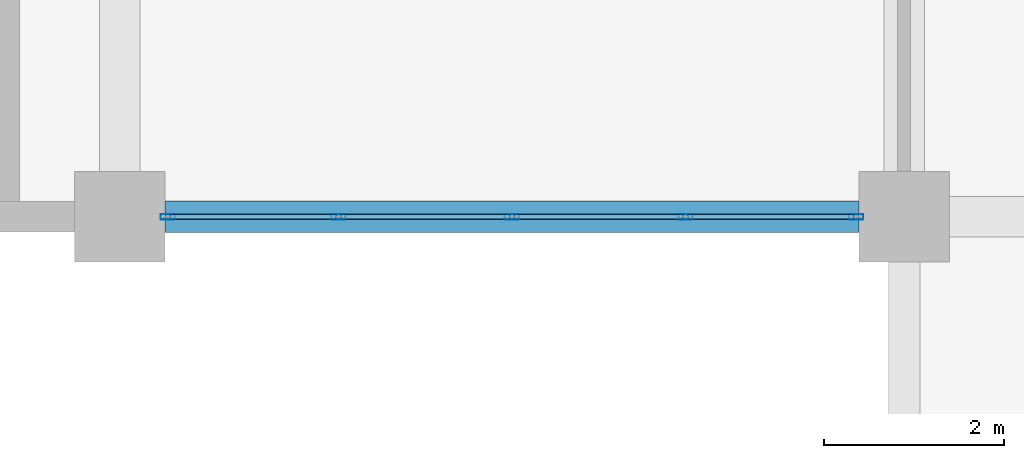
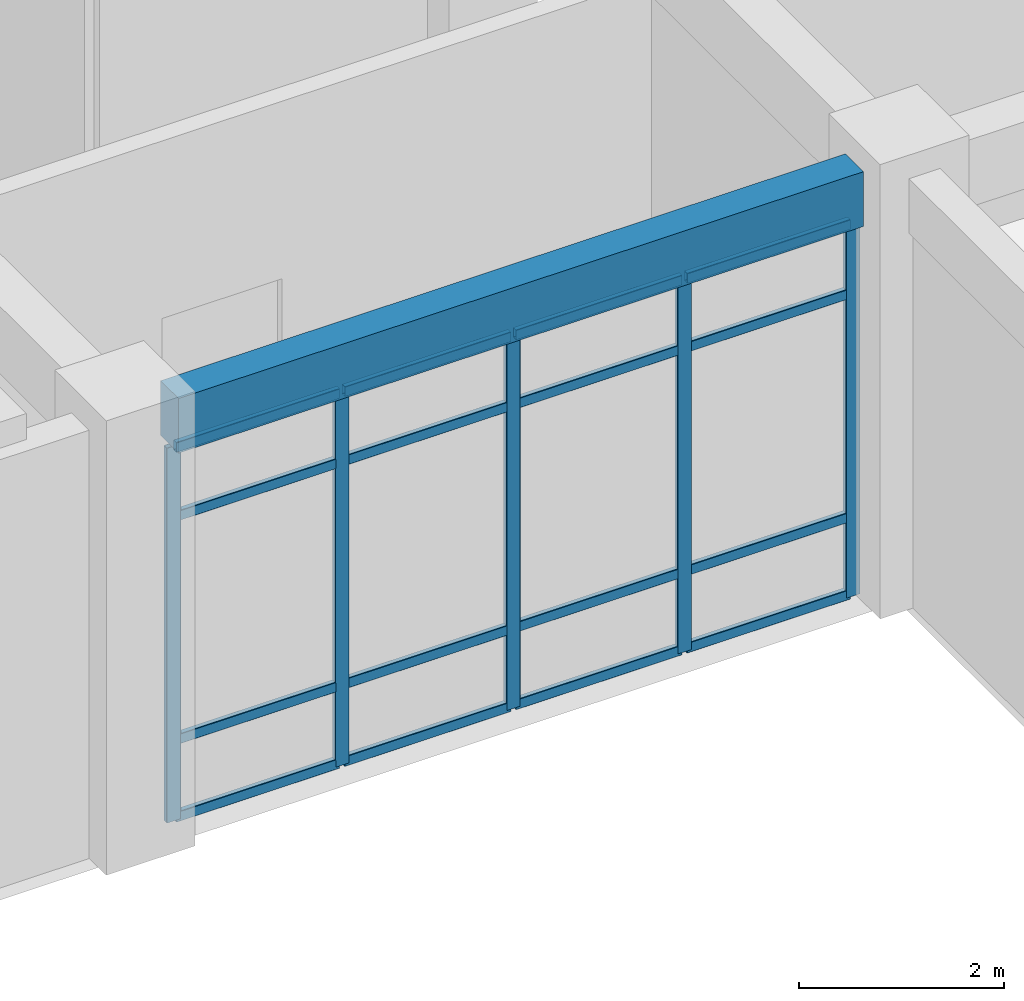
# One storey, part 36 of 114: 21 members, 1 beam, 1 element without a shape of its own.
"""IFC4 building model written with IfcOpenShell, lengths in metres."""

from ifc_helpers import new_model, si_unit, derived_unit, direction, frame, origin, origin_2d, place, context, subcontext, project, spatial, rectangle, hollow_rectangle, extrude, material, layer, layer_set, material_profile, profile_set, type_object, element, aggregate, save


model = new_model("IFC4")

# Units and contexts
model_context = context("Model", 3, precision=1e-05, world=origin(), true_north=direction((0.0, 1.0)))
body_context = subcontext(model_context, "Body", "Model", "MODEL_VIEW")
ifc_project = project(units=[si_unit("LENGTHUNIT", "METRE"), si_unit("AREAUNIT", "SQUARE_METRE"), si_unit("VOLUMEUNIT", "CUBIC_METRE"), si_unit("PLANEANGLEUNIT", "RADIAN"), si_unit("MASSUNIT", "GRAM", prefix="KILO"), derived_unit("THERMALTRANSMITTANCEUNIT", [(si_unit("MASSUNIT", "GRAM", prefix="KILO"), 1), (si_unit("TIMEUNIT", "SECOND"), -3), (si_unit("THERMODYNAMICTEMPERATUREUNIT", "KELVIN"), -1)])], contexts=[model_context])

# Site, building, storey
site_placement = place(None, origin())
site = spatial("IfcSite", under=ifc_project, at=site_placement, CompositionType="ELEMENT")
building_placement = place(site_placement, origin())
building = spatial("IfcBuilding", under=site, at=building_placement, Name="Qinzheling Arcade Emporium", CompositionType="ELEMENT")
storey_placement = place(building_placement, frame((0.0, 0.0, 6.0)))
storey = spatial("IfcBuildingStorey", under=building, at=storey_placement, Name="L02", CompositionType="ELEMENT", Elevation=6.0)

# Curtain wall, members
ifc_material_1 = material(Name="Anodised aluminium and solar-control double glazing", Category="aluminium")
ifc_layer = layer(ifc_material_1, 0.159912109375, Name="Anodised aluminium and solar-control double glazing", Category="aluminium")
ifc_layer_set = layer_set([ifc_layer], Name="Anodised aluminium and solar-control double glazing")
curtain_wall_type = type_object("IfcCurtainWallType", Name="Atrium Clerestory Curtain Wall", PredefinedType="NOTDEFINED", material=ifc_layer_set)
curtain_wall_placement = place(storey_placement, origin())
curtain_wall = element("IfcCurtainWall", 1, at=curtain_wall_placement, inside=storey, type_object=curtain_wall_type, Name="Curtain Wall CW-L02-062", PredefinedType="NOTDEFINED")
ifc_material_2 = material(Name="Anodised aluminium 6063-T6", Category="aluminium")
ifc_material_profile_1 = material_profile(ifc_material_2, hollow_rectangle(XDim=0.06005859375, YDim=0.159912109375, WallThickness=0.00390625, InnerFilletRadius=0.00390625, OuterFilletRadius=0.008056640625, at=origin_2d()), Name="RHS 160x60x4", Category="aluminium")
ifc_profile_set_1 = profile_set([ifc_material_profile_1], Name="Anodised aluminium 6063-T6")
member_type_1 = type_object("IfcMemberType", Name="Curtain Wall Mullion RHS160x60", PredefinedType="MULLION", material=ifc_profile_set_1)
member_1_placement = place(storey_placement, frame((103.867919921875, 42.0, 0.0), z_axis=(0.0, 0.0, 1.0), x_axis=(0.0, -1.0, 0.0)))
member_1 = element("IfcMember", 2, at=member_1_placement, type_object=member_type_1, Name="CW03 mullion 1", PredefinedType="MULLION", context=body_context, shape_type="SweptSolid", body=[
    extrude(hollow_rectangle(XDim=0.06005859375, YDim=0.159912109375, WallThickness=0.00390625, InnerFilletRadius=0.00390625, OuterFilletRadius=0.008056640625, at=origin_2d()), origin(), (0.0, 0.0, 1.0), 4.455078125),
])
member_2_placement = place(storey_placement, frame((101.97412109375, 42.0, 0.0), z_axis=(0.0, 0.0, 1.0), x_axis=(0.0, -1.0, 0.0)))
member_2 = element("IfcMember", 3, at=member_2_placement, type_object=member_type_1, Name="CW03 mullion 2", PredefinedType="MULLION", context=body_context, shape_type="SweptSolid", body=[
    extrude(hollow_rectangle(XDim=0.06005859375, YDim=0.159912109375, WallThickness=0.00390625, InnerFilletRadius=0.00390625, OuterFilletRadius=0.008056640625, at=origin_2d()), origin(), (0.0, 0.0, 1.0), 4.455078125),
])
member_3_placement = place(storey_placement, frame((100.050048828125, 42.0, 0.0), z_axis=(0.0, 0.0, 1.0), x_axis=(0.0, -1.0, 0.0)))
member_3 = element("IfcMember", 4, at=member_3_placement, type_object=member_type_1, Name="CW03 mullion 3", PredefinedType="MULLION", context=body_context, shape_type="SweptSolid", body=[
    extrude(hollow_rectangle(XDim=0.06005859375, YDim=0.159912109375, WallThickness=0.00390625, InnerFilletRadius=0.00390625, OuterFilletRadius=0.008056640625, at=origin_2d()), origin(), (0.0, 0.0, 1.0), 4.455078125),
])
member_4_placement = place(storey_placement, frame((98.1259765625, 42.0, 0.0), z_axis=(0.0, 0.0, 1.0), x_axis=(0.0, -1.0, 0.0)))
member_4 = element("IfcMember", 5, at=member_4_placement, type_object=member_type_1, Name="CW03 mullion 4", PredefinedType="MULLION", context=body_context, shape_type="SweptSolid", body=[
    extrude(hollow_rectangle(XDim=0.06005859375, YDim=0.159912109375, WallThickness=0.00390625, InnerFilletRadius=0.00390625, OuterFilletRadius=0.008056640625, at=origin_2d()), origin(), (0.0, 0.0, 1.0), 4.455078125),
])
member_5_placement = place(storey_placement, frame((96.23193359375, 42.0, 0.0), z_axis=(0.0, 0.0, 1.0), x_axis=(0.0, -1.0, 0.0)))
member_5 = element("IfcMember", 6, at=member_5_placement, type_object=member_type_1, Name="CW03 mullion 5", PredefinedType="MULLION", context=body_context, shape_type="SweptSolid", body=[
    extrude(hollow_rectangle(XDim=0.06005859375, YDim=0.159912109375, WallThickness=0.00390625, InnerFilletRadius=0.00390625, OuterFilletRadius=0.008056640625, at=origin_2d()), origin(), (0.0, 0.0, 1.0), 4.455078125),
])
ifc_material_profile_2 = material_profile(ifc_material_2, hollow_rectangle(XDim=0.06005859375, YDim=0.1201171875, WallThickness=0.00390625, InnerFilletRadius=0.00390625, OuterFilletRadius=0.008056640625, at=origin_2d()), Name="RHS 120x60x4", Category="aluminium")
ifc_profile_set_2 = profile_set([ifc_material_profile_2], Name="Anodised aluminium 6063-T6")
member_type_2 = type_object("IfcMemberType", Name="Curtain Wall Transom RHS120x60", PredefinedType="USERDEFINED", material=ifc_profile_set_2)
member_6_placement = place(storey_placement, frame((103.837890625, 42.0, 0.030029296875), z_axis=(-1.0, 0.0, 0.0), x_axis=(0.0, -1.0, 0.0)))
member_6 = element("IfcMember", 7, at=member_6_placement, type_object=member_type_2, Name="CW03 transom 1.1", ObjectType="TRANSOM", PredefinedType="USERDEFINED", context=body_context, shape_type="SweptSolid", body=[
    extrude(hollow_rectangle(XDim=0.06005859375, YDim=0.1201171875, WallThickness=0.00390625, InnerFilletRadius=0.00390625, OuterFilletRadius=0.008056640625, at=origin_2d()), origin(), (0.0, 0.0, 1.0), 1.833984375),
])
member_7_placement = place(storey_placement, frame((103.837890625, 42.0, 0.949951171875), z_axis=(-1.0, 0.0, 0.0), x_axis=(0.0, -1.0, 0.0)))
member_7 = element("IfcMember", 8, at=member_7_placement, type_object=member_type_2, Name="CW03 transom 1.2", ObjectType="TRANSOM", PredefinedType="USERDEFINED", context=body_context, shape_type="SweptSolid", body=[
    extrude(hollow_rectangle(XDim=0.06005859375, YDim=0.1201171875, WallThickness=0.00390625, InnerFilletRadius=0.00390625, OuterFilletRadius=0.008056640625, at=origin_2d()), origin(), (0.0, 0.0, 1.0), 1.833984375),
])
member_8_placement = place(storey_placement, frame((103.837890625, 42.0, 3.60498046875), z_axis=(-1.0, 0.0, 0.0), x_axis=(0.0, -1.0, 0.0)))
member_8 = element("IfcMember", 9, at=member_8_placement, type_object=member_type_2, Name="CW03 transom 1.3", ObjectType="TRANSOM", PredefinedType="USERDEFINED", context=body_context, shape_type="SweptSolid", body=[
    extrude(hollow_rectangle(XDim=0.06005859375, YDim=0.1201171875, WallThickness=0.00390625, InnerFilletRadius=0.00390625, OuterFilletRadius=0.008056640625, at=origin_2d()), origin(), (0.0, 0.0, 1.0), 1.833984375),
])
member_9_placement = place(storey_placement, frame((103.837890625, 42.0, 4.425048828125), z_axis=(-1.0, 0.0, 0.0), x_axis=(0.0, -1.0, 0.0)))
member_9 = element("IfcMember", 10, at=member_9_placement, type_object=member_type_2, Name="CW03 transom 1.4", ObjectType="TRANSOM", PredefinedType="USERDEFINED", context=body_context, shape_type="SweptSolid", body=[
    extrude(hollow_rectangle(XDim=0.06005859375, YDim=0.1201171875, WallThickness=0.00390625, InnerFilletRadius=0.00390625, OuterFilletRadius=0.008056640625, at=origin_2d()), origin(), (0.0, 0.0, 1.0), 1.833984375),
])
member_10_placement = place(storey_placement, frame((101.944091796875, 42.0, 0.030029296875), z_axis=(-1.0, 0.0, 0.0), x_axis=(0.0, -1.0, 0.0)))
member_10 = element("IfcMember", 11, at=member_10_placement, type_object=member_type_2, Name="CW03 transom 2.1", ObjectType="TRANSOM", PredefinedType="USERDEFINED", context=body_context, shape_type="SweptSolid", body=[
    extrude(hollow_rectangle(XDim=0.06005859375, YDim=0.1201171875, WallThickness=0.00390625, InnerFilletRadius=0.00390625, OuterFilletRadius=0.008056640625, at=origin_2d()), origin(), (0.0, 0.0, 1.0), 1.864013671875),
])
member_11_placement = place(storey_placement, frame((101.944091796875, 42.0, 0.949951171875), z_axis=(-1.0, 0.0, 0.0), x_axis=(0.0, -1.0, 0.0)))
member_11 = element("IfcMember", 12, at=member_11_placement, type_object=member_type_2, Name="CW03 transom 2.2", ObjectType="TRANSOM", PredefinedType="USERDEFINED", context=body_context, shape_type="SweptSolid", body=[
    extrude(hollow_rectangle(XDim=0.06005859375, YDim=0.1201171875, WallThickness=0.00390625, InnerFilletRadius=0.00390625, OuterFilletRadius=0.008056640625, at=origin_2d()), origin(), (0.0, 0.0, 1.0), 1.864013671875),
])
member_12_placement = place(storey_placement, frame((101.944091796875, 42.0, 3.60498046875), z_axis=(-1.0, 0.0, 0.0), x_axis=(0.0, -1.0, 0.0)))
member_12 = element("IfcMember", 13, at=member_12_placement, type_object=member_type_2, Name="CW03 transom 2.3", ObjectType="TRANSOM", PredefinedType="USERDEFINED", context=body_context, shape_type="SweptSolid", body=[
    extrude(hollow_rectangle(XDim=0.06005859375, YDim=0.1201171875, WallThickness=0.00390625, InnerFilletRadius=0.00390625, OuterFilletRadius=0.008056640625, at=origin_2d()), origin(), (0.0, 0.0, 1.0), 1.864013671875),
])
member_13_placement = place(storey_placement, frame((101.944091796875, 42.0, 4.425048828125), z_axis=(-1.0, 0.0, 0.0), x_axis=(0.0, -1.0, 0.0)))
member_13 = element("IfcMember", 14, at=member_13_placement, type_object=member_type_2, Name="CW03 transom 2.4", ObjectType="TRANSOM", PredefinedType="USERDEFINED", context=body_context, shape_type="SweptSolid", body=[
    extrude(hollow_rectangle(XDim=0.06005859375, YDim=0.1201171875, WallThickness=0.00390625, InnerFilletRadius=0.00390625, OuterFilletRadius=0.008056640625, at=origin_2d()), origin(), (0.0, 0.0, 1.0), 1.864013671875),
])
member_14_placement = place(storey_placement, frame((100.02001953125, 42.0, 0.030029296875), z_axis=(-1.0, 0.0, 0.0), x_axis=(0.0, -1.0, 0.0)))
member_14 = element("IfcMember", 15, at=member_14_placement, type_object=member_type_2, Name="CW03 transom 3.1", ObjectType="TRANSOM", PredefinedType="USERDEFINED", context=body_context, shape_type="SweptSolid", body=[
    extrude(hollow_rectangle(XDim=0.06005859375, YDim=0.1201171875, WallThickness=0.00390625, InnerFilletRadius=0.00390625, OuterFilletRadius=0.008056640625, at=origin_2d()), origin(), (0.0, 0.0, 1.0), 1.864013671875),
])
member_15_placement = place(storey_placement, frame((100.02001953125, 42.0, 0.949951171875), z_axis=(-1.0, 0.0, 0.0), x_axis=(0.0, -1.0, 0.0)))
member_15 = element("IfcMember", 16, at=member_15_placement, type_object=member_type_2, Name="CW03 transom 3.2", ObjectType="TRANSOM", PredefinedType="USERDEFINED", context=body_context, shape_type="SweptSolid", body=[
    extrude(hollow_rectangle(XDim=0.06005859375, YDim=0.1201171875, WallThickness=0.00390625, InnerFilletRadius=0.00390625, OuterFilletRadius=0.008056640625, at=origin_2d()), origin(), (0.0, 0.0, 1.0), 1.864013671875),
])
member_16_placement = place(storey_placement, frame((100.02001953125, 42.0, 3.60498046875), z_axis=(-1.0, 0.0, 0.0), x_axis=(0.0, -1.0, 0.0)))
member_16 = element("IfcMember", 17, at=member_16_placement, type_object=member_type_2, Name="CW03 transom 3.3", ObjectType="TRANSOM", PredefinedType="USERDEFINED", context=body_context, shape_type="SweptSolid", body=[
    extrude(hollow_rectangle(XDim=0.06005859375, YDim=0.1201171875, WallThickness=0.00390625, InnerFilletRadius=0.00390625, OuterFilletRadius=0.008056640625, at=origin_2d()), origin(), (0.0, 0.0, 1.0), 1.864013671875),
])
member_17_placement = place(storey_placement, frame((100.02001953125, 42.0, 4.425048828125), z_axis=(-1.0, 0.0, 0.0), x_axis=(0.0, -1.0, 0.0)))
member_17 = element("IfcMember", 18, at=member_17_placement, type_object=member_type_2, Name="CW03 transom 3.4", ObjectType="TRANSOM", PredefinedType="USERDEFINED", context=body_context, shape_type="SweptSolid", body=[
    extrude(hollow_rectangle(XDim=0.06005859375, YDim=0.1201171875, WallThickness=0.00390625, InnerFilletRadius=0.00390625, OuterFilletRadius=0.008056640625, at=origin_2d()), origin(), (0.0, 0.0, 1.0), 1.864013671875),
])
member_18_placement = place(storey_placement, frame((98.095947265625, 42.0, 0.030029296875), z_axis=(-1.0, 0.0, 0.0), x_axis=(0.0, -1.0, 0.0)))
member_18 = element("IfcMember", 19, at=member_18_placement, type_object=member_type_2, Name="CW03 transom 4.1", ObjectType="TRANSOM", PredefinedType="USERDEFINED", context=body_context, shape_type="SweptSolid", body=[
    extrude(hollow_rectangle(XDim=0.06005859375, YDim=0.1201171875, WallThickness=0.00390625, InnerFilletRadius=0.00390625, OuterFilletRadius=0.008056640625, at=origin_2d()), origin(), (0.0, 0.0, 1.0), 1.833984375),
])
member_19_placement = place(storey_placement, frame((98.095947265625, 42.0, 0.949951171875), z_axis=(-1.0, 0.0, 0.0), x_axis=(0.0, -1.0, 0.0)))
member_19 = element("IfcMember", 20, at=member_19_placement, type_object=member_type_2, Name="CW03 transom 4.2", ObjectType="TRANSOM", PredefinedType="USERDEFINED", context=body_context, shape_type="SweptSolid", body=[
    extrude(hollow_rectangle(XDim=0.06005859375, YDim=0.1201171875, WallThickness=0.00390625, InnerFilletRadius=0.00390625, OuterFilletRadius=0.008056640625, at=origin_2d()), origin(), (0.0, 0.0, 1.0), 1.833984375),
])
member_20_placement = place(storey_placement, frame((98.095947265625, 42.0, 3.60498046875), z_axis=(-1.0, 0.0, 0.0), x_axis=(0.0, -1.0, 0.0)))
member_20 = element("IfcMember", 21, at=member_20_placement, type_object=member_type_2, Name="CW03 transom 4.3", ObjectType="TRANSOM", PredefinedType="USERDEFINED", context=body_context, shape_type="SweptSolid", body=[
    extrude(hollow_rectangle(XDim=0.06005859375, YDim=0.1201171875, WallThickness=0.00390625, InnerFilletRadius=0.00390625, OuterFilletRadius=0.008056640625, at=origin_2d()), origin(), (0.0, 0.0, 1.0), 1.833984375),
])
member_21_placement = place(storey_placement, frame((98.095947265625, 42.0, 4.425048828125), z_axis=(-1.0, 0.0, 0.0), x_axis=(0.0, -1.0, 0.0)))
member_21 = element("IfcMember", 22, at=member_21_placement, type_object=member_type_2, Name="CW03 transom 4.4", ObjectType="TRANSOM", PredefinedType="USERDEFINED", context=body_context, shape_type="SweptSolid", body=[
    extrude(hollow_rectangle(XDim=0.06005859375, YDim=0.1201171875, WallThickness=0.00390625, InnerFilletRadius=0.00390625, OuterFilletRadius=0.008056640625, at=origin_2d()), origin(), (0.0, 0.0, 1.0), 1.833984375),
])
aggregate(curtain_wall, [member_1, member_2, member_3, member_4, member_5, member_6, member_7, member_8, member_9, member_10, member_11, member_12, member_13, member_14, member_15, member_16, member_17, member_18, member_19, member_20, member_21])

# Beam
ifc_material_3 = material(Name="Concrete C40", Category="concrete")
ifc_material_profile_3 = material_profile(ifc_material_3, rectangle(XDim=0.35009765625, YDim=0.64990234375, at=origin_2d()), Name="RC 350x650", Category="concrete")
ifc_profile_set_3 = profile_set([ifc_material_profile_3], Name="Concrete C40")
beam_type = type_object("IfcBeamType", Name="RC Spandrel Edge Beam 350x650 C40", PredefinedType="SPANDREL", material=ifc_profile_set_3)
beam_placement = place(storey_placement, frame((96.199951171875, 42.0, 4.794921875), z_axis=(1.0, 0.0, 0.0), x_axis=(0.0, 1.0, 0.0)))
element("IfcBeam", 23, at=beam_placement, inside=storey, type_object=beam_type, Name="Beam BM-L02-X-F-12", PredefinedType="SPANDREL", context=body_context, shape_type="SweptSolid", body=[
    extrude(rectangle(XDim=0.35009765625, YDim=0.64990234375, at=origin_2d()), origin(), (0.0, 0.0, 1.0), 7.699951171875),
])

save(model, "model.ifc")
